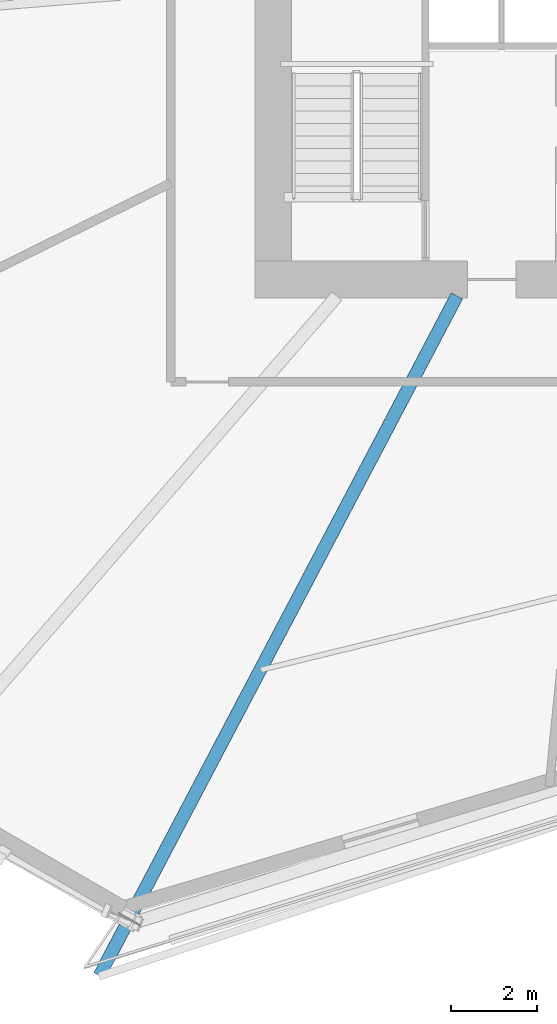
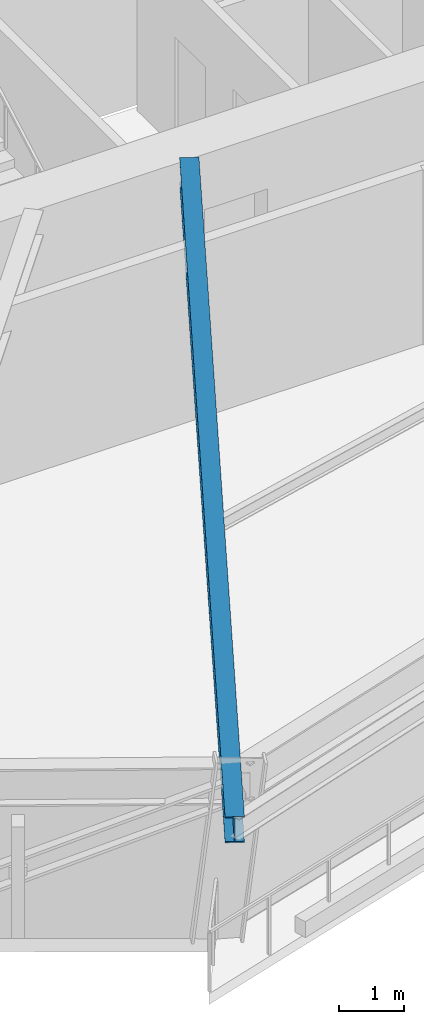
# One storey, part 3 of 22: 1 beam.
"""IFC4 building model written with IfcOpenShell, lengths in metres."""

from ifc_helpers import new_model, si_unit, direction, frame, origin, origin_2d, place, context, subcontext, project, spatial, i_section, extrude, source, transform, mapped, material, material_profile, profile_set, type_object, element, save


model = new_model("IFC4")

# Units and contexts
model_context = context("Model", 3, precision=1e-05, world=origin(), true_north=direction((0.0, 1.0)))
body_context = subcontext(model_context, "Body", "Model", "MODEL_VIEW")
ifc_project = project(units=[si_unit("LENGTHUNIT", "METRE"), si_unit("AREAUNIT", "SQUARE_METRE"), si_unit("VOLUMEUNIT", "CUBIC_METRE"), si_unit("PLANEANGLEUNIT", "RADIAN"), si_unit("MASSUNIT", "GRAM", prefix="KILO")], contexts=[model_context])

# Site, building, storey
site_placement = place(None, origin())
site = spatial("IfcSite", under=ifc_project, at=site_placement, CompositionType="ELEMENT")
building_placement = place(site_placement, origin())
building = spatial("IfcBuilding", under=site, at=building_placement, Name="Olszyna Solenne Hotel", CompositionType="ELEMENT")
storey_placement = place(building_placement, frame((0.0, 0.0, 50.60009765625)))
storey = spatial("IfcBuildingStorey", under=building, at=storey_placement, Name="L12", CompositionType="ELEMENT", Elevation=50.60009765625)

# Beam
ifc_material = material(Name="Steel S355J2", Category="steel")
ifc_material_profile = material_profile(ifc_material, i_section(OverallWidth=0.300048828125, OverallDepth=0.489990234375, WebThickness=0.011962890625, FlangeThickness=0.02294921875, at=origin_2d()), Name="HEA 500", Category="load-bearing")
ifc_profile_set = profile_set([ifc_material_profile], Name="Steel S355J2")
beam_type = type_object("IfcBeamType", Name="BM-G1", PredefinedType="BEAM", material=ifc_profile_set)
shared_shape = source(origin(), body_context, "Body", "SweptSolid", [
    extrude(i_section(OverallWidth=0.300048828125, OverallDepth=0.489990234375, WebThickness=0.011962890625, FlangeThickness=0.02294921875, at=origin_2d()), origin(), (0.0, 0.0, 1.0), 17.8017578125),
])
beam_placement = place(storey_placement, frame((25.647216796875, 2.9384765625, 3.054931640625), z_axis=(0.465425913496, 0.885086842658, 0.0), x_axis=(-0.885086842658, 0.465425913496, 0.0)))
element("IfcBeam", 1, at=beam_placement, inside=storey, type_object=beam_type, Name="Radial floor girder BM-G1 B-L12-0396", PredefinedType="BEAM", context=body_context, shape_type="MappedRepresentation", body=[
    mapped(shared_shape, transform((0.0, 0.0, 0.0), x_axis=(1.0, 0.0, 0.0), y_axis=(0.0, 1.0, 0.0), z_axis=(0.0, 0.0, 1.0), scale=1.0)),
])

save(model, "model.ifc")
